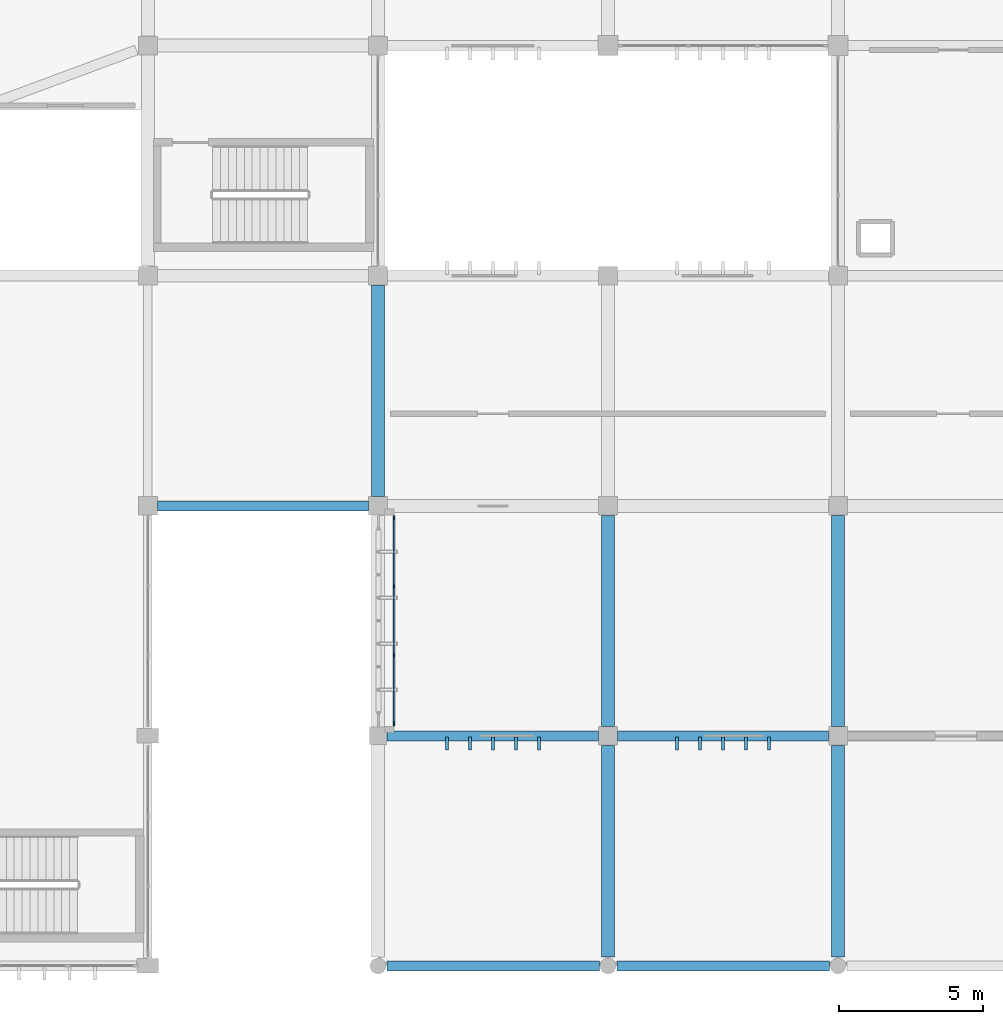
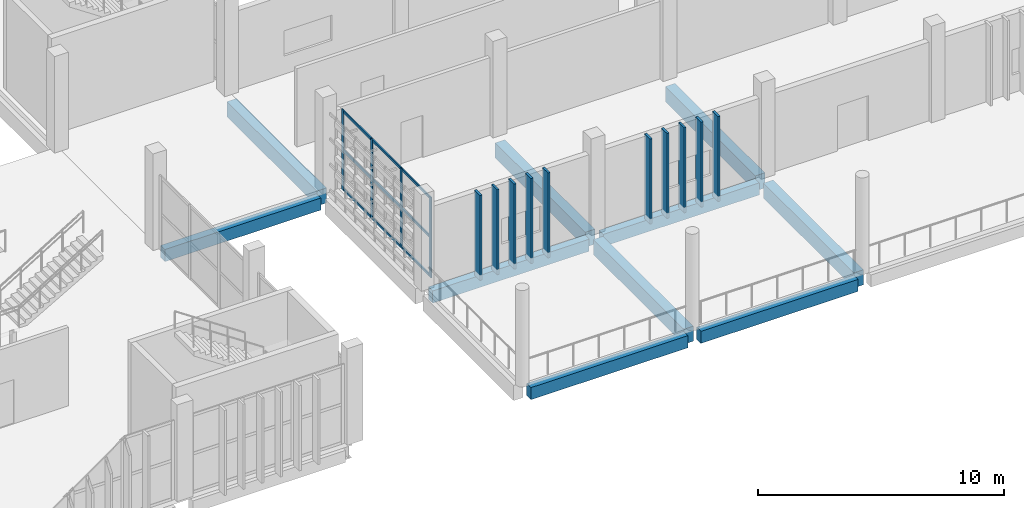
# One storey, part 22 of 106: 23 members, 10 beams, 1 element without a shape of its own.
"""IFC4 building model written with IfcOpenShell, lengths in metres."""

from ifc_helpers import new_model, si_unit, direction, frame, origin, origin_2d, place, context, subcontext, project, spatial, rectangle, extrude, material, layer, layer_set, material_profile, profile_set, type_object, element, aggregate, save


model = new_model("IFC4")

# Units and contexts
model_context = context("Model", 3, precision=1e-05, world=origin(), true_north=direction((0.0, 1.0)))
body_context = subcontext(model_context, "Body", "Model", "MODEL_VIEW")
ifc_project = project(units=[si_unit("LENGTHUNIT", "METRE"), si_unit("AREAUNIT", "SQUARE_METRE"), si_unit("VOLUMEUNIT", "CUBIC_METRE"), si_unit("PLANEANGLEUNIT", "RADIAN"), si_unit("MASSUNIT", "GRAM", prefix="KILO")], contexts=[model_context])

# Site, building, storey
site_placement = place(None, origin())
site = spatial("IfcSite", under=ifc_project, at=site_placement, CompositionType="ELEMENT")
building_placement = place(site_placement, origin())
building = spatial("IfcBuilding", under=site, at=building_placement, Name="Jelvoka-Kovrelna Polytechnic", CompositionType="ELEMENT")
storey_placement = place(building_placement, frame((0.0, 0.0, 4.800048828125)))
storey = spatial("IfcBuildingStorey", under=building, at=storey_placement, Name="L02", CompositionType="ELEMENT", Elevation=4.800048828125)

# Beams
ifc_material_1 = material(Name="Concrete C40/50", Category="concrete")
ifc_material_profile_1 = material_profile(ifc_material_1, rectangle(XDim=0.449951171875, YDim=0.75, at=origin_2d()), Name="RC 450x750")
ifc_profile_set_1 = profile_set([ifc_material_profile_1], Name="Concrete C40/50")
beam_type_1 = type_object("IfcBeamType", Name="Beam_RC_450x750", PredefinedType="BEAM", material=ifc_profile_set_1)
for number, where, z_axis, x_axis, name in (
    (1, (56.0, 16.330078125, -0.64013671875), (0.0, 1.0, 0.0), (-1.0, 0.0, 0.0), "L02 beam 0635"),
    (2, (64.0, 8.330078125, -0.64013671875), (0.0, 1.0, 0.0), (-1.0, 0.0, 0.0), "L02 beam 0636"),
    (3, (72.0, 8.330078125, -0.64013671875), (0.0, 1.0, 0.0), (-1.0, 0.0, 0.0), "L02 beam 0638"),
):
    element("IfcBeam", number, at=place(storey_placement, frame(where, z_axis=z_axis, x_axis=x_axis)), inside=storey, type_object=beam_type_1, Name=name, PredefinedType="BEAM", context=body_context, shape_type="SweptSolid", body=[
        extrude(rectangle(XDim=0.449951171875, YDim=0.75, at=origin_2d()), origin(), (0.0, 0.0, 1.0), 7.33984375),
    ])
for number, where, z_axis, x_axis, name in (
    (4, (64.0, 0.304931640625, -0.594970703125), (0.0, 1.0, 0.0), (-1.0, 0.0, 0.0), "L02 beam 2000"),
    (5, (72.0, 0.304931640625, -0.594970703125), (0.0, 1.0, 0.0), (-1.0, 0.0, 0.0), "L02 beam 2001"),
):
    element("IfcBeam", number, at=place(storey_placement, frame(where, z_axis=z_axis, x_axis=x_axis)), inside=storey, type_object=beam_type_1, Name=name, PredefinedType="BEAM", context=body_context, shape_type="SweptSolid", body=[
        extrude(rectangle(XDim=0.449951171875, YDim=0.75, at=origin_2d()), origin(), (0.0, 0.0, 1.0), 7.364990234375),
    ])

# Members
ifc_material_2 = material(Name="Precast concrete C40/50", Category="concrete")
ifc_material_profile_2 = material_profile(ifc_material_2, rectangle(XDim=0.10009765625, YDim=0.449951171875, at=origin_2d()), Name="PC 100x450")
ifc_profile_set_2 = profile_set([ifc_material_profile_2], Name="Precast concrete C40/50")
member_type_1 = type_object("IfcMemberType", Name="Louvre_Fin_100x450", PredefinedType="USERDEFINED", material=ifc_profile_set_2)
for number, where, z_axis, x_axis, name in (
    (6, (58.39990234375, 7.735107421875, -0.27001953125), (0.0, 0.0, 1.0), (1.0, 0.0, 0.0), "L02 B1 south vertical solar louvre fin 0106"),
    (7, (59.199951171875, 7.735107421875, -0.27001953125), (0.0, 0.0, 1.0), (1.0, 0.0, 0.0), "L02 B1 south vertical solar louvre fin 0107"),
    (8, (60.0, 7.735107421875, -0.27001953125), (0.0, 0.0, 1.0), (1.0, 0.0, 0.0), "L02 B1 south vertical solar louvre fin 0108"),
    (9, (60.800048828125, 7.735107421875, -0.27001953125), (0.0, 0.0, 1.0), (1.0, 0.0, 0.0), "L02 B1 south vertical solar louvre fin 0109"),
    (10, (61.60009765625, 7.735107421875, -0.27001953125), (0.0, 0.0, 1.0), (1.0, 0.0, 0.0), "L02 B1 south vertical solar louvre fin 0110"),
    (11, (66.39990234375, 7.735107421875, -0.27001953125), (0.0, 0.0, 1.0), (1.0, 0.0, 0.0), "L02 B1 south vertical solar louvre fin 0116"),
    (12, (67.199951171875, 7.735107421875, -0.27001953125), (0.0, 0.0, 1.0), (1.0, 0.0, 0.0), "L02 B1 south vertical solar louvre fin 0117"),
    (13, (68.0, 7.735107421875, -0.27001953125), (0.0, 0.0, 1.0), (1.0, 0.0, 0.0), "L02 B1 south vertical solar louvre fin 0118"),
    (14, (68.800048828125, 7.735107421875, -0.27001953125), (0.0, 0.0, 1.0), (1.0, 0.0, 0.0), "L02 B1 south vertical solar louvre fin 0119"),
    (15, (69.60009765625, 7.735107421875, -0.27001953125), (0.0, 0.0, 1.0), (1.0, 0.0, 0.0), "L02 B1 south vertical solar louvre fin 0120"),
):
    element("IfcMember", number, at=place(storey_placement, frame(where, z_axis=z_axis, x_axis=x_axis)), inside=storey, type_object=member_type_1, Name=name, ObjectType="SUNSHADE", PredefinedType="USERDEFINED", context=body_context, shape_type="SweptSolid", body=[
        extrude(rectangle(XDim=0.10009765625, YDim=0.449951171875, at=origin_2d()), origin(), (0.0, 0.0, 1.0), 4.22998046875),
    ])

# Curtain wall, members
ifc_material_3 = material(Name="Anodised aluminium 6063-T6", Category="aluminium")
ifc_layer = layer(ifc_material_3, 0.159912109375)
ifc_layer_set = layer_set([ifc_layer], Name="Anodised aluminium 6063-T6")
curtain_wall_type = type_object("IfcCurtainWallType", Name="CW_Recessed_A", PredefinedType="NOTDEFINED", material=ifc_layer_set)
curtain_wall_placement = place(storey_placement, origin())
curtain_wall = element("IfcCurtainWall", 16, at=curtain_wall_placement, inside=storey, type_object=curtain_wall_type, Name="L02 glazed curtain wall 002", PredefinedType="NOTDEFINED")
ifc_material_4 = material(Name="Anodised aluminium 6063-T6", Category="aluminium")
ifc_material_profile_3 = material_profile(ifc_material_4, rectangle(XDim=0.06005859375, YDim=0.159912109375, at=origin_2d()), Name="ALU 60x160")
ifc_profile_set_3 = profile_set([ifc_material_profile_3], Name="Anodised aluminium 6063-T6")
member_type_2 = type_object("IfcMemberType", Name="Mullion_M-01", PredefinedType="MULLION", material=ifc_profile_set_3)
member_1_placement = place(storey_placement, frame((56.56005859375, 8.429931640625, -0.02490234375), z_axis=(0.0, 0.0, 1.0), x_axis=(-1.0, 0.0, 0.0)))
member_1 = element("IfcMember", 17, at=member_1_placement, type_object=member_type_2, Name="CW-01 mullion 1", PredefinedType="MULLION", context=body_context, shape_type="SweptSolid", body=[
    extrude(rectangle(XDim=0.06005859375, YDim=0.159912109375, at=origin_2d()), origin(), (0.0, 0.0, 1.0), 4.0),
])
member_2_placement = place(storey_placement, frame((56.56005859375, 10.800048828125, -0.02490234375), z_axis=(0.0, 0.0, 1.0), x_axis=(-1.0, 0.0, 0.0)))
member_2 = element("IfcMember", 18, at=member_2_placement, type_object=member_type_2, Name="CW-01 mullion 2", PredefinedType="MULLION", context=body_context, shape_type="SweptSolid", body=[
    extrude(rectangle(XDim=0.06005859375, YDim=0.159912109375, at=origin_2d()), origin(), (0.0, 0.0, 1.0), 4.0),
])
member_3_placement = place(storey_placement, frame((56.56005859375, 13.199951171875, -0.02490234375), z_axis=(0.0, 0.0, 1.0), x_axis=(-1.0, 0.0, 0.0)))
member_3 = element("IfcMember", 19, at=member_3_placement, type_object=member_type_2, Name="CW-01 mullion 3", PredefinedType="MULLION", context=body_context, shape_type="SweptSolid", body=[
    extrude(rectangle(XDim=0.06005859375, YDim=0.159912109375, at=origin_2d()), origin(), (0.0, 0.0, 1.0), 4.0),
])
member_4_placement = place(storey_placement, frame((56.56005859375, 15.570068359375, -0.02490234375), z_axis=(0.0, 0.0, 1.0), x_axis=(-1.0, 0.0, 0.0)))
member_4 = element("IfcMember", 20, at=member_4_placement, type_object=member_type_2, Name="CW-01 mullion 4", PredefinedType="MULLION", context=body_context, shape_type="SweptSolid", body=[
    extrude(rectangle(XDim=0.06005859375, YDim=0.159912109375, at=origin_2d()), origin(), (0.0, 0.0, 1.0), 4.0),
])

# Beams
ifc_material_5 = material(Name="Concrete C40/50", Category="concrete")
ifc_material_profile_4 = material_profile(ifc_material_5, rectangle(XDim=0.35009765625, YDim=0.60009765625, at=origin_2d()), Name="RC 350x600")
ifc_profile_set_4 = profile_set([ifc_material_profile_4], Name="Concrete C40/50")
beam_type_2 = type_object("IfcBeamType", Name="Spandrel_RC_350x600", PredefinedType="SPANDREL", material=ifc_profile_set_4)
beam_placement = place(storey_placement, frame((56.304931640625, 8.0, -0.56494140625), z_axis=(1.0, 0.0, 0.0), x_axis=(0.0, 1.0, 0.0)))
element("IfcBeam", 21, at=beam_placement, inside=storey, type_object=beam_type_2, Name="L02 beam 0614", PredefinedType="SPANDREL", context=body_context, shape_type="SweptSolid", body=[
    extrude(rectangle(XDim=0.35009765625, YDim=0.60009765625, at=origin_2d()), origin(), (0.0, 0.0, 1.0), 7.364990234375),
])
for number, where, z_axis, x_axis, name in (
    (22, (64.330078125, 8.0, -0.56494140625), (1.0, 0.0, 0.0), (0.0, 1.0, 0.0), "L02 beam 0615"),
    (23, (48.330078125, 16.0, -0.56494140625), (1.0, 0.0, 0.0), (0.0, 1.0, 0.0), "L02 beam 0839"),
):
    element("IfcBeam", number, at=place(storey_placement, frame(where, z_axis=z_axis, x_axis=x_axis)), inside=storey, type_object=beam_type_2, Name=name, PredefinedType="SPANDREL", context=body_context, shape_type="SweptSolid", body=[
        extrude(rectangle(XDim=0.35009765625, YDim=0.60009765625, at=origin_2d()), origin(), (0.0, 0.0, 1.0), 7.33984375),
    ])
for number, where, z_axis, x_axis, name in (
    (24, (56.304931640625, 0.0, -0.52001953125), (1.0, 0.0, 0.0), (0.0, 1.0, 0.0), "L02 beam 1987"),
    (25, (64.304931640625, 0.0, -0.52001953125), (1.0, 0.0, 0.0), (0.0, 1.0, 0.0), "L02 beam 1988"),
):
    element("IfcBeam", number, at=place(storey_placement, frame(where, z_axis=z_axis, x_axis=x_axis)), inside=storey, type_object=beam_type_2, Name=name, PredefinedType="SPANDREL", context=body_context, shape_type="SweptSolid", body=[
        extrude(rectangle(XDim=0.35009765625, YDim=0.60009765625, at=origin_2d()), origin(), (0.0, 0.0, 1.0), 7.39013671875),
    ])

# Member
ifc_material_6 = material(Name="Anodised aluminium 6063-T6", Category="aluminium")
ifc_material_profile_5 = material_profile(ifc_material_6, rectangle(XDim=0.06005859375, YDim=0.1201171875, at=origin_2d()), Name="ALU 60x120")
ifc_profile_set_5 = profile_set([ifc_material_profile_5], Name="Anodised aluminium 6063-T6")
member_type_3 = type_object("IfcMemberType", Name="Transom_T-01", PredefinedType="USERDEFINED", material=ifc_profile_set_5)
member_5_placement = place(storey_placement, frame((56.56005859375, 8.4599609375, 0.030029296875), z_axis=(0.0, 1.0, 0.0), x_axis=(-1.0, 0.0, 0.0)))
member_5 = element("IfcMember", 26, at=member_5_placement, type_object=member_type_3, Name="CW-01 transom 1.1", ObjectType="TRANSOM", PredefinedType="USERDEFINED", context=body_context, shape_type="SweptSolid", body=[
    extrude(rectangle(XDim=0.06005859375, YDim=0.1201171875, at=origin_2d()), origin(), (0.0, 0.0, 1.0), 2.31005859375),
])

member_6_placement = place(storey_placement, frame((56.56005859375, 8.4599609375, 1.974853515625), z_axis=(0.0, 1.0, 0.0), x_axis=(-1.0, 0.0, 0.0)))
member_6 = element("IfcMember", 27, at=member_6_placement, type_object=member_type_3, Name="CW-01 transom 1.2", ObjectType="TRANSOM", PredefinedType="USERDEFINED", context=body_context, shape_type="SweptSolid", body=[
    extrude(rectangle(XDim=0.06005859375, YDim=0.1201171875, at=origin_2d()), origin(), (0.0, 0.0, 1.0), 2.31005859375),
])

member_7_placement = place(storey_placement, frame((56.56005859375, 8.4599609375, 3.919921875), z_axis=(0.0, 1.0, 0.0), x_axis=(-1.0, 0.0, 0.0)))
member_7 = element("IfcMember", 28, at=member_7_placement, type_object=member_type_3, Name="CW-01 transom 1.3", ObjectType="TRANSOM", PredefinedType="USERDEFINED", context=body_context, shape_type="SweptSolid", body=[
    extrude(rectangle(XDim=0.06005859375, YDim=0.1201171875, at=origin_2d()), origin(), (0.0, 0.0, 1.0), 2.31005859375),
])

member_8_placement = place(storey_placement, frame((56.56005859375, 10.830078125, 0.030029296875), z_axis=(0.0, 1.0, 0.0), x_axis=(-1.0, 0.0, 0.0)))
member_8 = element("IfcMember", 29, at=member_8_placement, type_object=member_type_3, Name="CW-01 transom 2.1", ObjectType="TRANSOM", PredefinedType="USERDEFINED", context=body_context, shape_type="SweptSolid", body=[
    extrude(rectangle(XDim=0.06005859375, YDim=0.1201171875, at=origin_2d()), origin(), (0.0, 0.0, 1.0), 2.33984375),
])

member_9_placement = place(storey_placement, frame((56.56005859375, 10.830078125, 1.974853515625), z_axis=(0.0, 1.0, 0.0), x_axis=(-1.0, 0.0, 0.0)))
member_9 = element("IfcMember", 30, at=member_9_placement, type_object=member_type_3, Name="CW-01 transom 2.2", ObjectType="TRANSOM", PredefinedType="USERDEFINED", context=body_context, shape_type="SweptSolid", body=[
    extrude(rectangle(XDim=0.06005859375, YDim=0.1201171875, at=origin_2d()), origin(), (0.0, 0.0, 1.0), 2.33984375),
])

member_10_placement = place(storey_placement, frame((56.56005859375, 10.830078125, 3.919921875), z_axis=(0.0, 1.0, 0.0), x_axis=(-1.0, 0.0, 0.0)))
member_10 = element("IfcMember", 31, at=member_10_placement, type_object=member_type_3, Name="CW-01 transom 2.3", ObjectType="TRANSOM", PredefinedType="USERDEFINED", context=body_context, shape_type="SweptSolid", body=[
    extrude(rectangle(XDim=0.06005859375, YDim=0.1201171875, at=origin_2d()), origin(), (0.0, 0.0, 1.0), 2.33984375),
])

member_11_placement = place(storey_placement, frame((56.56005859375, 13.22998046875, 0.030029296875), z_axis=(0.0, 1.0, 0.0), x_axis=(-1.0, 0.0, 0.0)))
member_11 = element("IfcMember", 32, at=member_11_placement, type_object=member_type_3, Name="CW-01 transom 3.1", ObjectType="TRANSOM", PredefinedType="USERDEFINED", context=body_context, shape_type="SweptSolid", body=[
    extrude(rectangle(XDim=0.06005859375, YDim=0.1201171875, at=origin_2d()), origin(), (0.0, 0.0, 1.0), 2.31005859375),
])

member_12_placement = place(storey_placement, frame((56.56005859375, 13.22998046875, 1.974853515625), z_axis=(0.0, 1.0, 0.0), x_axis=(-1.0, 0.0, 0.0)))
member_12 = element("IfcMember", 33, at=member_12_placement, type_object=member_type_3, Name="CW-01 transom 3.2", ObjectType="TRANSOM", PredefinedType="USERDEFINED", context=body_context, shape_type="SweptSolid", body=[
    extrude(rectangle(XDim=0.06005859375, YDim=0.1201171875, at=origin_2d()), origin(), (0.0, 0.0, 1.0), 2.31005859375),
])

member_13_placement = place(storey_placement, frame((56.56005859375, 13.22998046875, 3.919921875), z_axis=(0.0, 1.0, 0.0), x_axis=(-1.0, 0.0, 0.0)))
member_13 = element("IfcMember", 34, at=member_13_placement, type_object=member_type_3, Name="CW-01 transom 3.3", ObjectType="TRANSOM", PredefinedType="USERDEFINED", context=body_context, shape_type="SweptSolid", body=[
    extrude(rectangle(XDim=0.06005859375, YDim=0.1201171875, at=origin_2d()), origin(), (0.0, 0.0, 1.0), 2.31005859375),
])

aggregate(curtain_wall, [member_1, member_2, member_3, member_4, member_5, member_6, member_7, member_8, member_9, member_10, member_11, member_12, member_13])

save(model, "model.ifc")
